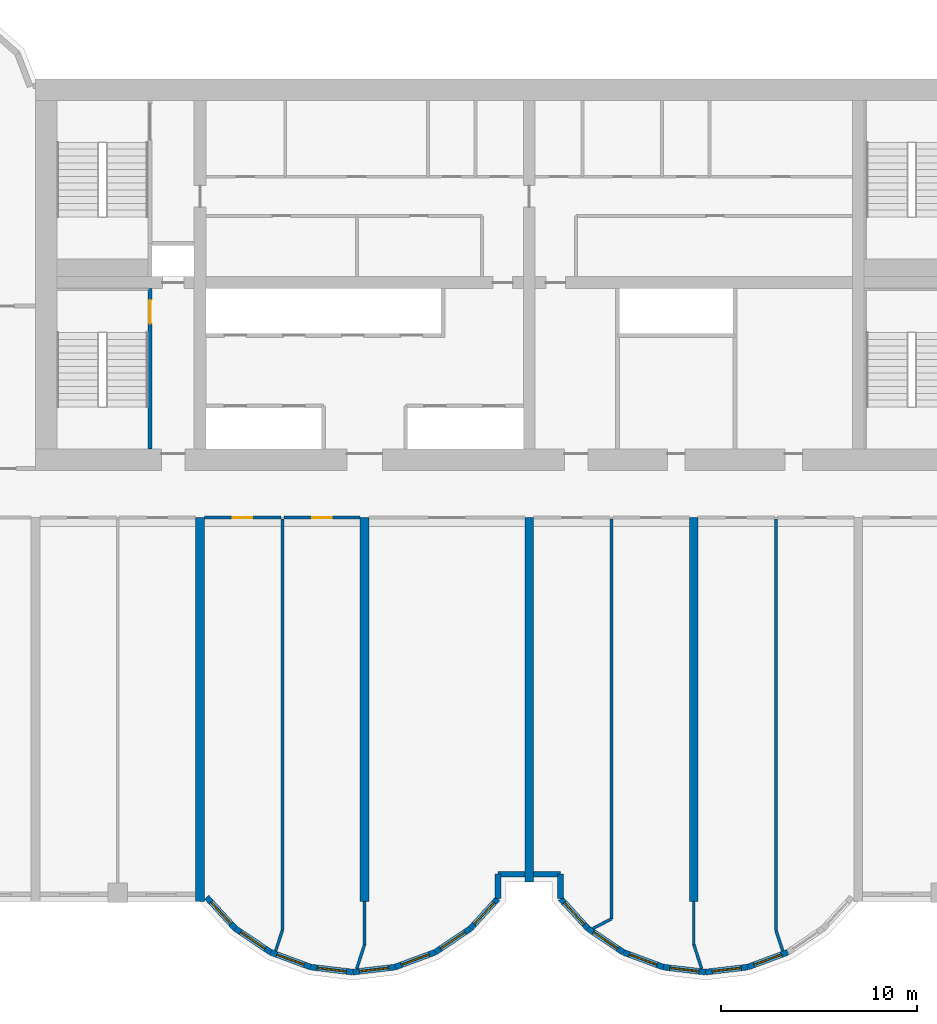
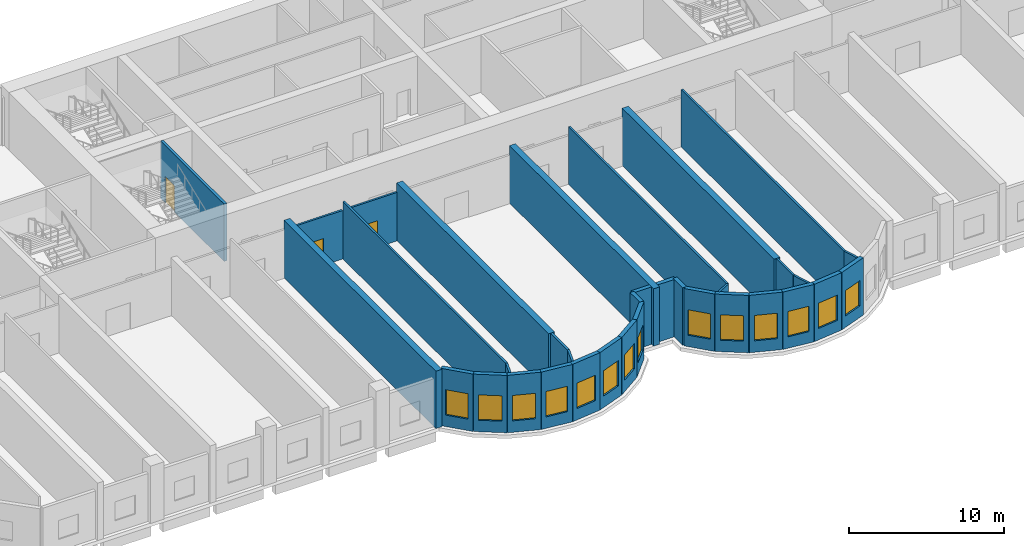
# One storey, part 3 of 10: 35 walls, 14 windows, 3 doors, 17 openings.
"""IFC4 building model written with IfcOpenShell, lengths in metres."""

from ifc_helpers import new_model, si_unit, direction, frame, frame_2d, origin, place, context, subcontext, project, spatial, rectangle, extrude, source, transform, mapped, material, layer, layer_set, type_object, element, fill, save


model = new_model("IFC4")

# Units and contexts
model_context = context("Model", 3, precision=1e-05, world=origin(), true_north=direction((0.0, 1.0)))
body_context = subcontext(model_context, "Body", "Model", "MODEL_VIEW")
ifc_project = project(units=[si_unit("LENGTHUNIT", "METRE"), si_unit("AREAUNIT", "SQUARE_METRE"), si_unit("VOLUMEUNIT", "CUBIC_METRE"), si_unit("PLANEANGLEUNIT", "RADIAN"), si_unit("MASSUNIT", "GRAM", prefix="KILO")], contexts=[model_context])

# Site, building, storey
site_placement = place(None, origin())
site = spatial("IfcSite", under=ifc_project, at=site_placement, CompositionType="ELEMENT")
building_placement = place(site_placement, origin())
building = spatial("IfcBuilding", under=site, at=building_placement, Name="Vanashikhar Sky Hotel", CompositionType="ELEMENT")
storey_placement = place(building_placement, frame((0.0, 0.0, 23.0)))
storey = spatial("IfcBuildingStorey", under=building, at=storey_placement, Name="L04", CompositionType="ELEMENT", Elevation=23.0)

# Walls
ifc_material_1 = material(Name="Concrete M80", Category="concrete")
ifc_layer_1 = layer(ifc_material_1, 0.449951171875)
ifc_layer_set_1 = layer_set([ifc_layer_1], Name="RC shear wall 450 Concrete M80")
wall_type_1 = type_object("IfcWallType", Name="RC shear wall 450 Concrete M80", PredefinedType="SHEAR", material=ifc_layer_set_1)
shared_shape_1 = source(origin(), body_context, "Body", "SweptSolid", [
    extrude(rectangle(XDim=19.60009765625, YDim=0.449951171875, at=frame_2d((9.800048828125, 0.0))), origin(), (0.0, 0.0, 1.0), 4.52001953125),
])
for number, where, z_axis, x_axis, name in (
    (1, (33.60009765625, 0.0, 0.0), (0.0, 0.0, 1.0), (0.0, 1.0, 0.0), "CW-L04-XW05-1"),
    (2, (42.0, 0.0, 0.0), (0.0, 0.0, 1.0), (0.0, 1.0, 0.0), "CW-L04-XW06-1"),
    (3, (58.800048828125, 0.0, 0.0), (0.0, 0.0, 1.0), (0.0, 1.0, 0.0), "CW-L04-XW08-1"),
):
    element("IfcWall", number, at=place(storey_placement, frame(where, z_axis=z_axis, x_axis=x_axis)), inside=storey, type_object=wall_type_1, Name=name, PredefinedType="SHEAR", context=body_context, shape_type="MappedRepresentation", body=[
        mapped(shared_shape_1, transform((0.0, 0.0, 0.0), scale=1.0)),
    ])
shared_shape_2 = source(origin(), body_context, "Body", "SweptSolid", [
    extrude(rectangle(XDim=18.60009765625, YDim=0.449951171875, at=frame_2d((9.300048828125, 0.0))), origin(), (0.0, 0.0, 1.0), 4.52001953125),
])
wall_1_placement = place(storey_placement, frame((50.39990234375, 1.0, 0.0), z_axis=(0.0, 0.0, 1.0), x_axis=(0.0, 1.0, 0.0)))
element("IfcWall", 4, at=wall_1_placement, inside=storey, type_object=wall_type_1, Name="CW-L04-XW07-1", PredefinedType="SHEAR", context=body_context, shape_type="MappedRepresentation", body=[
    mapped(shared_shape_2, transform((0.0, 0.0, 0.0), scale=1.0)),
])
ifc_material_2 = material(Name="Concrete M50", Category="concrete")
ifc_layer_2 = layer(ifc_material_2, 0.300048828125)
ifc_layer_set_2 = layer_set([ifc_layer_2], Name="Lobe wall 300")
wall_type_2 = type_object("IfcWallType", Name="Lobe wall 300", PredefinedType="SOLIDWALL", material=ifc_layer_set_2)
shared_shape_3 = source(origin(), body_context, "Body", "SweptSolid", [
    extrude(rectangle(XDim=1.244384765625, YDim=0.300048828125, at=frame_2d((0.6220703125, 0.0))), origin(), (0.0, 0.0, 1.0), 4.52001953125),
])
for number, where, z_axis, x_axis, name in (
    (5, (48.800048828125, 0.155517578125, 0.0), (0.0, 0.0, 1.0), (0.0, 1.0, 0.0), "Groove wall"),
    (6, (52.0, 1.39990234375, 0.0), (0.0, 0.0, 1.0), (0.0, -1.0, 0.0), "Groove wall"),
):
    element("IfcWall", number, at=place(storey_placement, frame(where, z_axis=z_axis, x_axis=x_axis)), inside=storey, type_object=wall_type_2, Name=name, PredefinedType="SOLIDWALL", context=body_context, shape_type="MappedRepresentation", body=[
        mapped(shared_shape_3, transform((0.0, 0.0, 0.0), scale=1.0)),
    ])
shared_shape_4 = source(origin(), body_context, "Body", "SweptSolid", [
    extrude(rectangle(XDim=1.375, YDim=0.300048828125, at=frame_2d((0.6875, 0.0))), origin(), (0.0, 0.0, 1.0), 4.52001953125),
])
for number, where, z_axis, x_axis, name in (
    (7, (48.800048828125, 1.39990234375, 0.0), (0.0, 0.0, 1.0), (1.0, 0.0, 0.0), "Groove wall"),
    (8, (50.625, 1.39990234375, 0.0), (0.0, 0.0, 1.0), (1.0, 0.0, 0.0), "Groove wall"),
):
    element("IfcWall", number, at=place(storey_placement, frame(where, z_axis=z_axis, x_axis=x_axis)), inside=storey, type_object=wall_type_2, Name=name, PredefinedType="SOLIDWALL", context=body_context, shape_type="MappedRepresentation", body=[
        mapped(shared_shape_4, transform((0.0, 0.0, 0.0), scale=1.0)),
    ])

# Wall, opening, window
shared_shape_5 = source(origin(), body_context, "Body", "SweptSolid", [
    extrude(rectangle(XDim=2.066650390625, YDim=0.300048828125, at=frame_2d((1.033203125, 0.0))), origin(), (0.0, 0.0, 1.0), 4.52001953125),
])
wall_2_placement = place(storey_placement, frame((52.0, 0.155517578125, 0.0), z_axis=(0.0, 0.0, 1.0), x_axis=(0.675355439877, -0.737492393065, 0.0)))
wall_2 = element("IfcWall", 9, at=wall_2_placement, inside=storey, type_object=wall_type_2, Name="Lobe wall", PredefinedType="SOLIDWALL", context=body_context, shape_type="MappedRepresentation", body=[
    mapped(shared_shape_5, transform((0.0, 0.0, 0.0), scale=1.0)),
])
shared_shape_6 = source(origin(), body_context, "Body", "SweptSolid", [
    extrude(rectangle(XDim=1.5, YDim=2.0, at=frame_2d((0.75, 1.0))), frame((0.0, 0.16015625, 0.0), z_axis=(0.0, -1.0, 0.0), x_axis=(1.0, 0.0, 0.0)), (0.0, 0.0, 1.0), 0.320068359375),
])
opening_1_placement = place(wall_2_placement, frame((0.283203125, 0.0, 0.89990234375)))
opening_1 = element("IfcOpeningElement", 10, at=opening_1_placement, cuts=wall_2, Name="Opening WN-2", PredefinedType="OPENING", context=body_context, shape_type="MappedRepresentation", body=[
    mapped(shared_shape_6, transform((0.0, 0.0, 0.0), scale=1.0)),
])
ifc_material_3 = material(Name="Glass", Category="glass")
window_type = type_object("IfcWindowType", Name="Lobe window 1500 x 2000", PartitioningType="SINGLE_PANEL", PredefinedType="WINDOW", material=ifc_material_3)
shared_shape_7 = source(origin(), body_context, "Body", "SweptSolid", [
    extrude(rectangle(XDim=1.5, YDim=2.0, at=frame_2d((0.75, 1.0))), frame((0.0, 0.030029296875, 0.0), z_axis=(0.0, -1.0, 0.0), x_axis=(1.0, 0.0, 0.0)), (0.0, 0.0, 1.0), 0.06005859375),
])
window_1_placement = place(opening_1_placement, origin())
window_1 = element("IfcWindow", 11, at=window_1_placement, inside=storey, type_object=window_type, Name="Window WN-2", OverallHeight=2.0, OverallWidth=1.5, PartitioningType="SINGLE_PANEL", PredefinedType="WINDOW", context=body_context, shape_type="MappedRepresentation", body=[
    mapped(shared_shape_7, transform((0.0, 0.0, 0.0), scale=1.0)),
])
fill(opening_1, window_1)

wall_3_placement = place(storey_placement, frame((47.404296875, -1.36865234375, 0.0), z_axis=(0.0, 0.0, 1.0), x_axis=(0.675355439877, 0.737492393065, 0.0)))
wall_3 = element("IfcWall", 12, at=wall_3_placement, inside=storey, type_object=wall_type_2, Name="Lobe wall", PredefinedType="SOLIDWALL", context=body_context, shape_type="MappedRepresentation", body=[
    mapped(shared_shape_5, transform((0.0, 0.0, 0.0), scale=1.0)),
])
opening_2_placement = place(wall_3_placement, frame((0.283203125, 0.0, 0.89990234375)))
opening_2 = element("IfcOpeningElement", 13, at=opening_2_placement, cuts=wall_3, Name="Opening WN-2", PredefinedType="OPENING", context=body_context, shape_type="MappedRepresentation", body=[
    mapped(shared_shape_6, transform((0.0, 0.0, 0.0), scale=1.0)),
])
window_2_placement = place(opening_2_placement, origin())
window_2 = element("IfcWindow", 14, at=window_2_placement, inside=storey, type_object=window_type, Name="Window WN-2", OverallHeight=2.0, OverallWidth=1.5, PartitioningType="SINGLE_PANEL", PredefinedType="WINDOW", context=body_context, shape_type="MappedRepresentation", body=[
    mapped(shared_shape_7, transform((0.0, 0.0, 0.0), scale=1.0)),
])
fill(opening_2, window_2)

shared_shape_8 = source(origin(), body_context, "Body", "SweptSolid", [
    extrude(rectangle(XDim=2.17578125, YDim=0.300048828125, at=frame_2d((1.087890625, 0.0))), origin(), (0.0, 0.0, 1.0), 4.52001953125),
])
wall_4_placement = place(storey_placement, frame((53.395751953125, -1.36865234375, 0.0), z_axis=(0.0, 0.0, 1.0), x_axis=(0.829590746428, -0.558371913192, 0.0)))
wall_4 = element("IfcWall", 15, at=wall_4_placement, inside=storey, type_object=wall_type_2, Name="Lobe wall", PredefinedType="SOLIDWALL", context=body_context, shape_type="MappedRepresentation", body=[
    mapped(shared_shape_8, transform((0.0, 0.0, 0.0), scale=1.0)),
])
opening_3_placement = place(wall_4_placement, frame((0.337890625, 0.0, 0.89990234375)))
opening_3 = element("IfcOpeningElement", 16, at=opening_3_placement, cuts=wall_4, Name="Opening WN-2", PredefinedType="OPENING", context=body_context, shape_type="MappedRepresentation", body=[
    mapped(shared_shape_6, transform((0.0, 0.0, 0.0), scale=1.0)),
])
window_3_placement = place(opening_3_placement, origin())
window_3 = element("IfcWindow", 17, at=window_3_placement, inside=storey, type_object=window_type, Name="Window WN-2", OverallHeight=2.0, OverallWidth=1.5, PartitioningType="SINGLE_PANEL", PredefinedType="WINDOW", context=body_context, shape_type="MappedRepresentation", body=[
    mapped(shared_shape_7, transform((0.0, 0.0, 0.0), scale=1.0)),
])
fill(opening_3, window_3)

wall_5_placement = place(storey_placement, frame((55.20068359375, -2.58349609375, 0.0), z_axis=(0.0, 0.0, 1.0), x_axis=(0.93754555999, -0.347862505801, 0.0)))
wall_5 = element("IfcWall", 18, at=wall_5_placement, inside=storey, type_object=wall_type_2, Name="Lobe wall", PredefinedType="SOLIDWALL", context=body_context, shape_type="MappedRepresentation", body=[
    mapped(shared_shape_8, transform((0.0, 0.0, 0.0), scale=1.0)),
])
opening_4_placement = place(wall_5_placement, frame((0.337890625, 0.0, 0.89990234375)))
opening_4 = element("IfcOpeningElement", 19, at=opening_4_placement, cuts=wall_5, Name="Opening WN-2", PredefinedType="OPENING", context=body_context, shape_type="MappedRepresentation", body=[
    mapped(shared_shape_6, transform((0.0, 0.0, 0.0), scale=1.0)),
])
window_4_placement = place(opening_4_placement, origin())
window_4 = element("IfcWindow", 20, at=window_4_placement, inside=storey, type_object=window_type, Name="Window WN-2", OverallHeight=2.0, OverallWidth=1.5, PartitioningType="SINGLE_PANEL", PredefinedType="WINDOW", context=body_context, shape_type="MappedRepresentation", body=[
    mapped(shared_shape_7, transform((0.0, 0.0, 0.0), scale=1.0)),
])
fill(opening_4, window_4)

wall_6_placement = place(storey_placement, frame((35.395751953125, -1.36865234375, 0.0), z_axis=(0.0, 0.0, 1.0), x_axis=(0.829590746428, -0.558371913192, 0.0)))
wall_6 = element("IfcWall", 21, at=wall_6_placement, inside=storey, type_object=wall_type_2, Name="Lobe wall", PredefinedType="SOLIDWALL", context=body_context, shape_type="MappedRepresentation", body=[
    mapped(shared_shape_8, transform((0.0, 0.0, 0.0), scale=1.0)),
])
opening_5_placement = place(wall_6_placement, frame((0.337890625, 0.0, 0.89990234375)))
opening_5 = element("IfcOpeningElement", 22, at=opening_5_placement, cuts=wall_6, Name="Opening WN-2", PredefinedType="OPENING", context=body_context, shape_type="MappedRepresentation", body=[
    mapped(shared_shape_6, transform((0.0, 0.0, 0.0), scale=1.0)),
])
window_5_placement = place(opening_5_placement, origin())
window_5 = element("IfcWindow", 23, at=window_5_placement, inside=storey, type_object=window_type, Name="Window WN-2", OverallHeight=2.0, OverallWidth=1.5, PartitioningType="SINGLE_PANEL", PredefinedType="WINDOW", context=body_context, shape_type="MappedRepresentation", body=[
    mapped(shared_shape_7, transform((0.0, 0.0, 0.0), scale=1.0)),
])
fill(opening_5, window_5)

wall_7_placement = place(storey_placement, frame((37.20068359375, -2.58349609375, 0.0), z_axis=(0.0, 0.0, 1.0), x_axis=(0.93754555999, -0.347862505801, 0.0)))
wall_7 = element("IfcWall", 24, at=wall_7_placement, inside=storey, type_object=wall_type_2, Name="Lobe wall", PredefinedType="SOLIDWALL", context=body_context, shape_type="MappedRepresentation", body=[
    mapped(shared_shape_8, transform((0.0, 0.0, 0.0), scale=1.0)),
])
opening_6_placement = place(wall_7_placement, frame((0.337890625, 0.0, 0.89990234375)))
opening_6 = element("IfcOpeningElement", 25, at=opening_6_placement, cuts=wall_7, Name="Opening WN-2", PredefinedType="OPENING", context=body_context, shape_type="MappedRepresentation", body=[
    mapped(shared_shape_6, transform((0.0, 0.0, 0.0), scale=1.0)),
])
window_6_placement = place(opening_6_placement, origin())
window_6 = element("IfcWindow", 26, at=window_6_placement, inside=storey, type_object=window_type, Name="Window WN-2", OverallHeight=2.0, OverallWidth=1.5, PartitioningType="SINGLE_PANEL", PredefinedType="WINDOW", context=body_context, shape_type="MappedRepresentation", body=[
    mapped(shared_shape_7, transform((0.0, 0.0, 0.0), scale=1.0)),
])
fill(opening_6, window_6)

wall_8_placement = place(storey_placement, frame((45.59912109375, -2.58349609375, 0.0), z_axis=(0.0, 0.0, 1.0), x_axis=(0.829625727223, 0.558319937607, 0.0)))
wall_8 = element("IfcWall", 27, at=wall_8_placement, inside=storey, type_object=wall_type_2, Name="Lobe wall", PredefinedType="SOLIDWALL", context=body_context, shape_type="MappedRepresentation", body=[
    mapped(shared_shape_8, transform((0.0, 0.0, 0.0), scale=1.0)),
])
opening_7_placement = place(wall_8_placement, frame((0.337890625, 0.0, 0.89990234375)))
opening_7 = element("IfcOpeningElement", 28, at=opening_7_placement, cuts=wall_8, Name="Opening WN-2", PredefinedType="OPENING", context=body_context, shape_type="MappedRepresentation", body=[
    mapped(shared_shape_6, transform((0.0, 0.0, 0.0), scale=1.0)),
])
window_7_placement = place(opening_7_placement, origin())
window_7 = element("IfcWindow", 29, at=window_7_placement, inside=storey, type_object=window_type, Name="Window WN-2", OverallHeight=2.0, OverallWidth=1.5, PartitioningType="SINGLE_PANEL", PredefinedType="WINDOW", context=body_context, shape_type="MappedRepresentation", body=[
    mapped(shared_shape_7, transform((0.0, 0.0, 0.0), scale=1.0)),
])
fill(opening_7, window_7)

shared_shape_9 = source(origin(), body_context, "Body", "SweptSolid", [
    extrude(rectangle(XDim=2.174560546875, YDim=0.300048828125, at=frame_2d((1.08740234375, 0.0))), origin(), (0.0, 0.0, 1.0), 4.52001953125),
])
wall_9_placement = place(storey_placement, frame((57.240478515625, -3.34033203125, 0.0), z_axis=(0.0, 0.0, 1.0), x_axis=(0.993001132889, -0.118104826659, 0.0)))
wall_9 = element("IfcWall", 30, at=wall_9_placement, inside=storey, type_object=wall_type_2, Name="Lobe wall", PredefinedType="SOLIDWALL", context=body_context, shape_type="MappedRepresentation", body=[
    mapped(shared_shape_9, transform((0.0, 0.0, 0.0), scale=1.0)),
])
opening_8_placement = place(wall_9_placement, frame((0.33740234375, 0.0, 0.89990234375)))
opening_8 = element("IfcOpeningElement", 31, at=opening_8_placement, cuts=wall_9, Name="Opening WN-2", PredefinedType="OPENING", context=body_context, shape_type="MappedRepresentation", body=[
    mapped(shared_shape_6, transform((0.0, 0.0, 0.0), scale=1.0)),
])
window_8_placement = place(opening_8_placement, origin())
window_8 = element("IfcWindow", 32, at=window_8_placement, inside=storey, type_object=window_type, Name="Window WN-2", OverallHeight=2.0, OverallWidth=1.5, PartitioningType="SINGLE_PANEL", PredefinedType="WINDOW", context=body_context, shape_type="MappedRepresentation", body=[
    mapped(shared_shape_7, transform((0.0, 0.0, 0.0), scale=1.0)),
])
fill(opening_8, window_8)

wall_10_placement = place(storey_placement, frame((39.240478515625, -3.34033203125, 0.0), z_axis=(0.0, 0.0, 1.0), x_axis=(0.993001132889, -0.118104826659, 0.0)))
wall_10 = element("IfcWall", 33, at=wall_10_placement, inside=storey, type_object=wall_type_2, Name="Lobe wall", PredefinedType="SOLIDWALL", context=body_context, shape_type="MappedRepresentation", body=[
    mapped(shared_shape_9, transform((0.0, 0.0, 0.0), scale=1.0)),
])
opening_9_placement = place(wall_10_placement, frame((0.33740234375, 0.0, 0.89990234375)))
opening_9 = element("IfcOpeningElement", 34, at=opening_9_placement, cuts=wall_10, Name="Opening WN-2", PredefinedType="OPENING", context=body_context, shape_type="MappedRepresentation", body=[
    mapped(shared_shape_6, transform((0.0, 0.0, 0.0), scale=1.0)),
])
window_9_placement = place(opening_9_placement, origin())
window_9 = element("IfcWindow", 35, at=window_9_placement, inside=storey, type_object=window_type, Name="Window WN-2", OverallHeight=2.0, OverallWidth=1.5, PartitioningType="SINGLE_PANEL", PredefinedType="WINDOW", context=body_context, shape_type="MappedRepresentation", body=[
    mapped(shared_shape_7, transform((0.0, 0.0, 0.0), scale=1.0)),
])
fill(opening_9, window_9)

shared_shape_10 = source(origin(), body_context, "Body", "SweptSolid", [
    extrude(rectangle(XDim=2.1748046875, YDim=0.300048828125, at=frame_2d((1.08740234375, 0.0))), origin(), (0.0, 0.0, 1.0), 4.52001953125),
])
wall_11_placement = place(storey_placement, frame((59.39990234375, -3.59716796875, 0.0), z_axis=(0.0, 0.0, 1.0), x_axis=(0.993002698611, 0.118091661648, 0.0)))
wall_11 = element("IfcWall", 36, at=wall_11_placement, inside=storey, type_object=wall_type_2, Name="Lobe wall", PredefinedType="SOLIDWALL", context=body_context, shape_type="MappedRepresentation", body=[
    mapped(shared_shape_10, transform((0.0, 0.0, 0.0), scale=1.0)),
])
opening_10_placement = place(wall_11_placement, frame((0.33740234375, 0.0, 0.89990234375)))
opening_10 = element("IfcOpeningElement", 37, at=opening_10_placement, cuts=wall_11, Name="Opening WN-2", PredefinedType="OPENING", context=body_context, shape_type="MappedRepresentation", body=[
    mapped(shared_shape_6, transform((0.0, 0.0, 0.0), scale=1.0)),
])
window_10_placement = place(opening_10_placement, origin())
window_10 = element("IfcWindow", 38, at=window_10_placement, inside=storey, type_object=window_type, Name="Window WN-2", OverallHeight=2.0, OverallWidth=1.5, PartitioningType="SINGLE_PANEL", PredefinedType="WINDOW", context=body_context, shape_type="MappedRepresentation", body=[
    mapped(shared_shape_7, transform((0.0, 0.0, 0.0), scale=1.0)),
])
fill(opening_10, window_10)

wall_12_placement = place(storey_placement, frame((41.39990234375, -3.59716796875, 0.0), z_axis=(0.0, 0.0, 1.0), x_axis=(0.993002698611, 0.118091661648, 0.0)))
wall_12 = element("IfcWall", 39, at=wall_12_placement, inside=storey, type_object=wall_type_2, Name="Lobe wall", PredefinedType="SOLIDWALL", context=body_context, shape_type="MappedRepresentation", body=[
    mapped(shared_shape_10, transform((0.0, 0.0, 0.0), scale=1.0)),
])
opening_11_placement = place(wall_12_placement, frame((0.33740234375, 0.0, 0.89990234375)))
opening_11 = element("IfcOpeningElement", 40, at=opening_11_placement, cuts=wall_12, Name="Opening WN-2", PredefinedType="OPENING", context=body_context, shape_type="MappedRepresentation", body=[
    mapped(shared_shape_6, transform((0.0, 0.0, 0.0), scale=1.0)),
])
window_11_placement = place(opening_11_placement, origin())
window_11 = element("IfcWindow", 41, at=window_11_placement, inside=storey, type_object=window_type, Name="Window WN-2", OverallHeight=2.0, OverallWidth=1.5, PartitioningType="SINGLE_PANEL", PredefinedType="WINDOW", context=body_context, shape_type="MappedRepresentation", body=[
    mapped(shared_shape_7, transform((0.0, 0.0, 0.0), scale=1.0)),
])
fill(opening_11, window_11)

shared_shape_11 = source(origin(), body_context, "Body", "SweptSolid", [
    extrude(rectangle(XDim=2.175537109375, YDim=0.300048828125, at=frame_2d((1.087890625, 0.0))), origin(), (0.0, 0.0, 1.0), 4.52001953125),
])
wall_13_placement = place(storey_placement, frame((61.5595703125, -3.34033203125, 0.0), z_axis=(0.0, 0.0, 1.0), x_axis=(0.937531979054, 0.347899106424, 0.0)))
wall_13 = element("IfcWall", 42, at=wall_13_placement, inside=storey, type_object=wall_type_2, Name="Lobe wall", PredefinedType="SOLIDWALL", context=body_context, shape_type="MappedRepresentation", body=[
    mapped(shared_shape_11, transform((0.0, 0.0, 0.0), scale=1.0)),
])
opening_12_placement = place(wall_13_placement, frame((0.337890625, 0.0, 0.89990234375)))
opening_12 = element("IfcOpeningElement", 43, at=opening_12_placement, cuts=wall_13, Name="Opening WN-2", PredefinedType="OPENING", context=body_context, shape_type="MappedRepresentation", body=[
    mapped(shared_shape_6, transform((0.0, 0.0, 0.0), scale=1.0)),
])
window_12_placement = place(opening_12_placement, origin())
window_12 = element("IfcWindow", 44, at=window_12_placement, inside=storey, type_object=window_type, Name="Window WN-2", OverallHeight=2.0, OverallWidth=1.5, PartitioningType="SINGLE_PANEL", PredefinedType="WINDOW", context=body_context, shape_type="MappedRepresentation", body=[
    mapped(shared_shape_7, transform((0.0, 0.0, 0.0), scale=1.0)),
])
fill(opening_12, window_12)

wall_14_placement = place(storey_placement, frame((43.5595703125, -3.34033203125, 0.0), z_axis=(0.0, 0.0, 1.0), x_axis=(0.937531979054, 0.347899106424, 0.0)))
wall_14 = element("IfcWall", 45, at=wall_14_placement, inside=storey, type_object=wall_type_2, Name="Lobe wall", PredefinedType="SOLIDWALL", context=body_context, shape_type="MappedRepresentation", body=[
    mapped(shared_shape_11, transform((0.0, 0.0, 0.0), scale=1.0)),
])
opening_13_placement = place(wall_14_placement, frame((0.337890625, 0.0, 0.89990234375)))
opening_13 = element("IfcOpeningElement", 46, at=opening_13_placement, cuts=wall_14, Name="Opening WN-2", PredefinedType="OPENING", context=body_context, shape_type="MappedRepresentation", body=[
    mapped(shared_shape_6, transform((0.0, 0.0, 0.0), scale=1.0)),
])
window_13_placement = place(opening_13_placement, origin())
window_13 = element("IfcWindow", 47, at=window_13_placement, inside=storey, type_object=window_type, Name="Window WN-2", OverallHeight=2.0, OverallWidth=1.5, PartitioningType="SINGLE_PANEL", PredefinedType="WINDOW", context=body_context, shape_type="MappedRepresentation", body=[
    mapped(shared_shape_7, transform((0.0, 0.0, 0.0), scale=1.0)),
])
fill(opening_13, window_13)

shared_shape_12 = source(origin(), body_context, "Body", "SweptSolid", [
    extrude(rectangle(XDim=2.162109375, YDim=0.300048828125, at=frame_2d((1.0810546875, 0.0))), origin(), (0.0, 0.0, 1.0), 4.52001953125),
])
wall_15_placement = place(storey_placement, frame((33.935546875, 0.225830078125, 0.0), z_axis=(0.0, 0.0, 1.0), x_axis=(0.67537173084, -0.737477474355, 0.0)))
wall_15 = element("IfcWall", 48, at=wall_15_placement, inside=storey, type_object=wall_type_2, Name="Lobe wall", PredefinedType="SOLIDWALL", context=body_context, shape_type="MappedRepresentation", body=[
    mapped(shared_shape_12, transform((0.0, 0.0, 0.0), scale=1.0)),
])
opening_14_placement = place(wall_15_placement, frame((0.3310546875, 0.0, 0.89990234375)))
opening_14 = element("IfcOpeningElement", 49, at=opening_14_placement, cuts=wall_15, Name="Opening WN-2", PredefinedType="OPENING", context=body_context, shape_type="MappedRepresentation", body=[
    mapped(shared_shape_6, transform((0.0, 0.0, 0.0), scale=1.0)),
])
window_14_placement = place(opening_14_placement, origin())
window_14 = element("IfcWindow", 50, at=window_14_placement, inside=storey, type_object=window_type, Name="Window WN-2", OverallHeight=2.0, OverallWidth=1.5, PartitioningType="SINGLE_PANEL", PredefinedType="WINDOW", context=body_context, shape_type="MappedRepresentation", body=[
    mapped(shared_shape_7, transform((0.0, 0.0, 0.0), scale=1.0)),
])
fill(opening_14, window_14)

# Wall, opening, door
ifc_layer_3 = layer(ifc_material_2, 0.199951171875)
ifc_layer_set_3 = layer_set([ifc_layer_3], Name="Stair wall 200")
wall_type_3 = type_object("IfcWallType", Name="Stair wall 200", PredefinedType="SOLIDWALL", material=ifc_layer_set_3)
shared_shape_13 = source(origin(), body_context, "Body", "SweptSolid", [
    extrude(rectangle(XDim=8.199951171875, YDim=0.199951171875, at=frame_2d((4.10009765625, 0.0))), origin(), (0.0, 0.0, 1.0), 4.52001953125),
])
wall_16_placement = place(storey_placement, frame((31.050048828125, 23.10009765625, 0.0), z_axis=(0.0, 0.0, 1.0), x_axis=(0.0, 1.0, 0.0)))
wall_16 = element("IfcWall", 51, at=wall_16_placement, inside=storey, type_object=wall_type_3, Name="Stair wall 200", PredefinedType="SOLIDWALL", context=body_context, shape_type="MappedRepresentation", body=[
    mapped(shared_shape_13, transform((0.0, 0.0, 0.0), scale=1.0)),
])
shared_shape_14 = source(origin(), body_context, "Body", "SweptSolid", [
    extrude(rectangle(XDim=1.199951171875, YDim=2.10009765625, at=frame_2d((0.60009765625, 1.050048828125))), frame((0.0, 0.10986328125, 0.0), z_axis=(0.0, -1.0, 0.0), x_axis=(1.0, 0.0, 0.0)), (0.0, 0.0, 1.0), 0.219970703125),
])
opening_15_placement = place(wall_16_placement, frame((6.39990234375, 0.0, 0.0)))
opening_15 = element("IfcOpeningElement", 52, at=opening_15_placement, cuts=wall_16, Name="Opening DC-1", PredefinedType="OPENING", context=body_context, shape_type="MappedRepresentation", body=[
    mapped(shared_shape_14, transform((0.0, 0.0, 0.0), scale=1.0)),
])
ifc_material_4 = material(Name="Steel", Category="steel")
door_type_1 = type_object("IfcDoorType", Name="Stair door 1200 FD120", OperationType="NOTDEFINED", PredefinedType="DOOR", material=ifc_material_4)
shared_shape_15 = source(origin(), body_context, "Body", "SweptSolid", [
    extrude(rectangle(XDim=1.199951171875, YDim=2.10009765625, at=frame_2d((0.60009765625, 1.050048828125))), frame((0.0, 0.02490234375, 0.0), z_axis=(0.0, -1.0, 0.0), x_axis=(1.0, 0.0, 0.0)), (0.0, 0.0, 1.0), 0.050048828125),
])
door_1_placement = place(opening_15_placement, origin())
door_1 = element("IfcDoor", 53, at=door_1_placement, inside=storey, type_object=door_type_1, Name="Stair door 1200 FD120", OperationType="SINGLE_SWING_LEFT", OverallHeight=2.10009765625, OverallWidth=1.199951171875, PredefinedType="DOOR", context=body_context, shape_type="MappedRepresentation", body=[
    mapped(shared_shape_15, transform((0.0, 0.0, 0.0), scale=1.0)),
])
fill(opening_15, door_1)

ifc_material_5 = material(Name="Gypsum plasterboard partition")
ifc_layer_4 = layer(ifc_material_5, 0.14990234375)
ifc_layer_set_4 = layer_set([ifc_layer_4], Name="Corridor and demising partition 150")
wall_type_4 = type_object("IfcWallType", Name="Corridor and demising partition 150", PredefinedType="PARTITIONING", material=ifc_layer_set_4)
shared_shape_16 = source(origin(), body_context, "Body", "SweptSolid", [
    extrude(rectangle(XDim=3.900146484375, YDim=0.14990234375, at=frame_2d((1.9501953125, 0.0))), origin(), (0.0, 0.0, 1.0), 3.820068359375),
])
wall_17_placement = place(storey_placement, frame((33.824951171875, 19.60009765625, 0.0), z_axis=(0.0, 0.0, 1.0), x_axis=(1.0, 0.0, 0.0)))
wall_17 = element("IfcWall", 54, at=wall_17_placement, inside=storey, type_object=wall_type_4, Name="W-L04-PW011", PredefinedType="PARTITIONING", context=body_context, shape_type="MappedRepresentation", body=[
    mapped(shared_shape_16, transform((0.0, 0.0, 0.0), scale=1.0)),
])
shared_shape_17 = source(origin(), body_context, "Body", "SweptSolid", [
    extrude(rectangle(XDim=1.0, YDim=2.10009765625, at=frame_2d((0.5, 1.050048828125))), frame((0.0, 0.0849609375, 0.0), z_axis=(0.0, -1.0, 0.0), x_axis=(1.0, 0.0, 0.0)), (0.0, 0.0, 1.0), 0.169921875),
])
opening_16_placement = place(wall_17_placement, frame((1.449951171875, 0.0, 0.0)))
opening_16 = element("IfcOpeningElement", 55, at=opening_16_placement, cuts=wall_17, Name="Opening D-01", PredefinedType="OPENING", context=body_context, shape_type="MappedRepresentation", body=[
    mapped(shared_shape_17, transform((0.0, 0.0, 0.0), scale=1.0)),
])
ifc_material_6 = material(Name="Timber fire door", Category="wood")
door_type_2 = type_object("IfcDoorType", Name="Guest entry door 1000 FD30S", OperationType="NOTDEFINED", PredefinedType="DOOR", material=ifc_material_6)
shared_shape_18 = source(origin(), body_context, "Body", "SweptSolid", [
    extrude(rectangle(XDim=1.0, YDim=2.10009765625, at=frame_2d((0.5, 1.050048828125))), frame((0.0, 0.02490234375, 0.0), z_axis=(0.0, -1.0, 0.0), x_axis=(1.0, 0.0, 0.0)), (0.0, 0.0, 1.0), 0.050048828125),
])
door_2_placement = place(opening_16_placement, origin())
door_2 = element("IfcDoor", 56, at=door_2_placement, inside=storey, type_object=door_type_2, Name="D-L04-008", OperationType="SINGLE_SWING_LEFT", OverallHeight=2.10009765625, OverallWidth=1.0, PredefinedType="DOOR", context=body_context, shape_type="MappedRepresentation", body=[
    mapped(shared_shape_18, transform((0.0, 0.0, 0.0), scale=1.0)),
])
fill(opening_16, door_2)

shared_shape_19 = source(origin(), body_context, "Body", "SweptSolid", [
    extrude(rectangle(XDim=3.89990234375, YDim=0.14990234375, at=frame_2d((1.949951171875, 0.0))), origin(), (0.0, 0.0, 1.0), 3.820068359375),
])
wall_18_placement = place(storey_placement, frame((37.875, 19.60009765625, 0.0), z_axis=(0.0, 0.0, 1.0), x_axis=(1.0, 0.0, 0.0)))
wall_18 = element("IfcWall", 57, at=wall_18_placement, inside=storey, type_object=wall_type_4, Name="W-L04-PW012", PredefinedType="PARTITIONING", context=body_context, shape_type="MappedRepresentation", body=[
    mapped(shared_shape_19, transform((0.0, 0.0, 0.0), scale=1.0)),
])
opening_17_placement = place(wall_18_placement, frame((1.449951171875, 0.0, 0.0)))
opening_17 = element("IfcOpeningElement", 58, at=opening_17_placement, cuts=wall_18, Name="Opening D-01", PredefinedType="OPENING", context=body_context, shape_type="MappedRepresentation", body=[
    mapped(shared_shape_17, transform((0.0, 0.0, 0.0), scale=1.0)),
])
door_3_placement = place(opening_17_placement, origin())
door_3 = element("IfcDoor", 59, at=door_3_placement, inside=storey, type_object=door_type_2, Name="D-L04-009", OperationType="SINGLE_SWING_RIGHT", OverallHeight=2.10009765625, OverallWidth=1.0, PredefinedType="DOOR", context=body_context, shape_type="MappedRepresentation", body=[
    mapped(shared_shape_18, transform((0.0, 0.0, 0.0), scale=1.0)),
])
fill(opening_17, door_3)

# Walls
shared_shape_20 = source(origin(), body_context, "Body", "SweptSolid", [
    extrude(rectangle(XDim=20.997802734375, YDim=0.14990234375, at=frame_2d((10.4990234375, 0.0))), origin(), (0.0, 0.0, 1.0), 4.52001953125),
])
for number, where, z_axis, x_axis, name in (
    (60, (37.800048828125, -1.472900390625, 0.0), (0.0, 0.0, 1.0), (0.0, 1.0, 0.0), "W-L04-PW013"),
    (61, (63.0, -1.472900390625, 0.0), (0.0, 0.0, 1.0), (0.0, 1.0, 0.0), "W-L04-PW020"),
):
    element("IfcWall", number, at=place(storey_placement, frame(where, z_axis=z_axis, x_axis=x_axis)), inside=storey, type_object=wall_type_4, Name=name, PredefinedType="PARTITIONING", context=body_context, shape_type="MappedRepresentation", body=[
        mapped(shared_shape_20, transform((0.0, 0.0, 0.0), scale=1.0)),
    ])
shared_shape_21 = source(origin(), body_context, "Body", "SweptSolid", [
    extrude(rectangle(XDim=20.406005859375, YDim=0.14990234375, at=frame_2d((10.203125, 0.0))), origin(), (0.0, 0.0, 1.0), 4.52001953125),
])
wall_19_placement = place(storey_placement, frame((54.60009765625, -0.881103515625, 0.0), z_axis=(0.0, 0.0, 1.0), x_axis=(0.0, 1.0, 0.0)))
element("IfcWall", 62, at=wall_19_placement, inside=storey, type_object=wall_type_4, Name="W-L04-PW017", PredefinedType="PARTITIONING", context=body_context, shape_type="MappedRepresentation", body=[
    mapped(shared_shape_21, transform((0.0, 0.0, 0.0), scale=1.0)),
])
shared_shape_22 = source(origin(), body_context, "Body", "SweptSolid", [
    extrude(rectangle(XDim=2.177978515625, YDim=0.14990234375, at=frame_2d((1.0888671875, 0.0))), origin(), (0.0, 0.0, 1.0), 4.52001953125),
])
for number, where, z_axis, x_axis, name in (
    (63, (42.0, -2.177978515625, 0.0), (0.0, 0.0, 1.0), (0.0, 1.0, 0.0), "W-L04-PW027"),
    (64, (58.800048828125, -2.177978515625, 0.0), (0.0, 0.0, 1.0), (0.0, 1.0, 0.0), "W-L04-PW028"),
):
    element("IfcWall", number, at=place(storey_placement, frame(where, z_axis=z_axis, x_axis=x_axis)), inside=storey, type_object=wall_type_4, Name=name, PredefinedType="PARTITIONING", context=body_context, shape_type="MappedRepresentation", body=[
        mapped(shared_shape_22, transform((0.0, 0.0, 0.0), scale=1.0)),
    ])
shared_shape_23 = source(origin(), body_context, "Body", "SweptSolid", [
    extrude(rectangle(XDim=1.100830078125, YDim=0.14990234375, at=frame_2d((0.55029296875, 0.0))), origin(), (0.0, 0.0, 1.0), 4.52001953125),
])
for number, where, z_axis, x_axis, name in (
    (65, (37.45703125, -2.51904296875, 0.0), (0.0, 0.0, 1.0), (0.311567081539, 0.950224159712, 0.0), "W-L04-PW013B0"),
    (66, (63.343017578125, -2.51904296875, 0.0), (0.0, 0.0, 1.0), (-0.311567081539, 0.950224159712, 0.0), "W-L04-PW020B0"),
):
    element("IfcWall", number, at=place(storey_placement, frame(where, z_axis=z_axis, x_axis=x_axis)), inside=storey, type_object=wall_type_4, Name=name, PredefinedType="PARTITIONING", context=body_context, shape_type="MappedRepresentation", body=[
        mapped(shared_shape_23, transform((0.0, 0.0, 0.0), scale=1.0)),
    ])
shared_shape_24 = source(origin(), body_context, "Body", "SweptSolid", [
    extrude(rectangle(XDim=1.057861328125, YDim=0.14990234375, at=frame_2d((0.52880859375, 0.0))), origin(), (0.0, 0.0, 1.0), 4.52001953125),
])
wall_20_placement = place(storey_placement, frame((53.659912109375, -1.365966796875, 0.0), z_axis=(0.0, 0.0, 1.0), x_axis=(0.888772319209, 0.458348955063, 0.0)))
element("IfcWall", 67, at=wall_20_placement, inside=storey, type_object=wall_type_4, Name="W-L04-PW017B0", PredefinedType="PARTITIONING", context=body_context, shape_type="MappedRepresentation", body=[
    mapped(shared_shape_24, transform((0.0, 0.0, 0.0), scale=1.0)),
])
shared_shape_25 = source(origin(), body_context, "Body", "SweptSolid", [
    extrude(rectangle(XDim=1.308349609375, YDim=0.14990234375, at=frame_2d((0.654296875, 0.0))), origin(), (0.0, 0.0, 1.0), 4.52001953125),
])
for number, where, z_axis, x_axis, name in (
    (68, (41.597900390625, -3.423095703125, 0.0), (0.0, 0.0, 1.0), (0.307313512187, 0.951608325535, 0.0), "W-L04-PW027B0"),
    (69, (59.201904296875, -3.423095703125, 0.0), (0.0, 0.0, 1.0), (-0.307144529633, 0.951662880392, 0.0), "W-L04-PW028B0"),
):
    element("IfcWall", number, at=place(storey_placement, frame(where, z_axis=z_axis, x_axis=x_axis)), inside=storey, type_object=wall_type_4, Name=name, PredefinedType="PARTITIONING", context=body_context, shape_type="MappedRepresentation", body=[
        mapped(shared_shape_25, transform((0.0, 0.0, 0.0), scale=1.0)),
    ])

save(model, "model.ifc")
